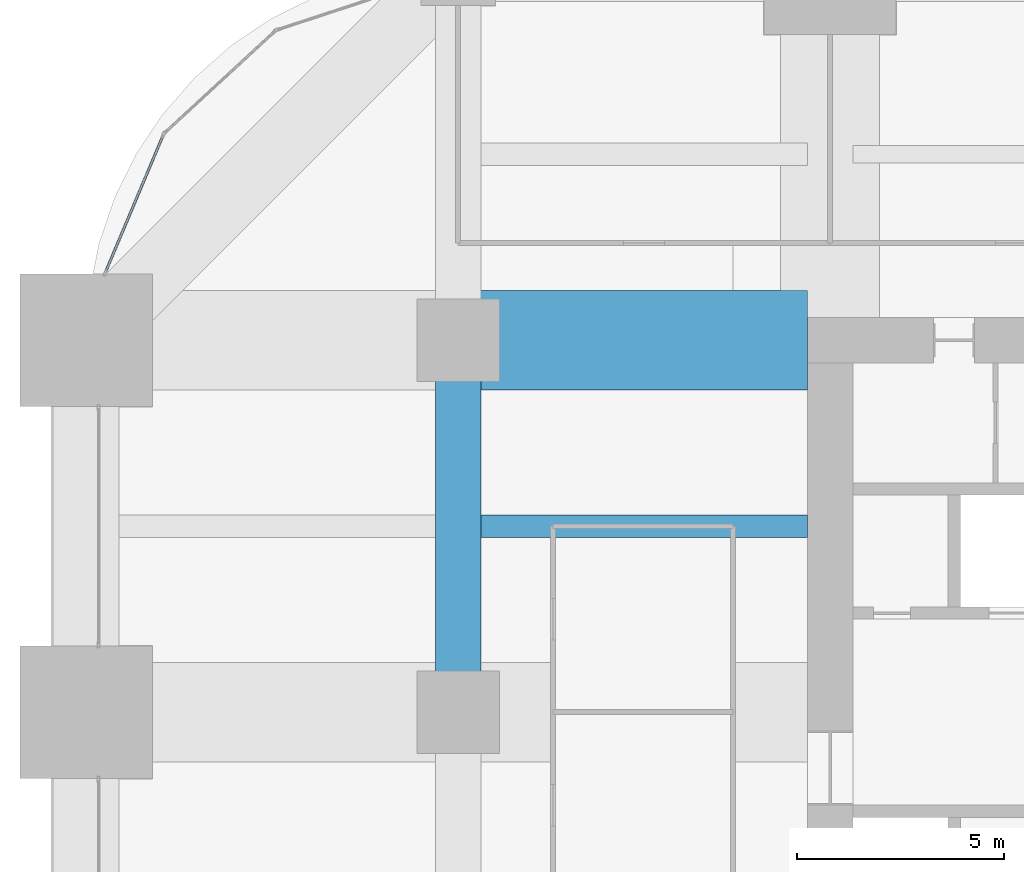
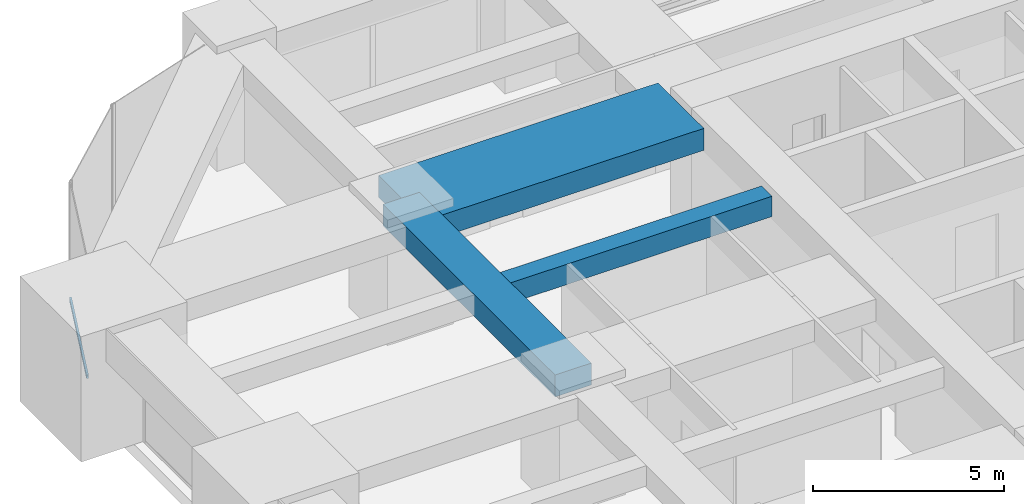
# One storey, part 21 of 35: 3 beams, 1 member, 1 element without a shape of its own.
"""IFC4 building model written with IfcOpenShell, lengths in metres."""

from ifc_helpers import new_model, si_unit, direction, frame, origin, origin_2d, place, context, subcontext, project, spatial, rectangle, hollow_rectangle, extrude, material, material_profile, profile_set, type_object, element, aggregate, save


model = new_model("IFC4")

# Units and contexts
model_context = context("Model", 3, precision=1e-05, world=origin(), true_north=direction((0.0, 1.0)))
body_context = subcontext(model_context, "Body", "Model", "MODEL_VIEW")
ifc_project = project(units=[si_unit("LENGTHUNIT", "METRE"), si_unit("AREAUNIT", "SQUARE_METRE"), si_unit("VOLUMEUNIT", "CUBIC_METRE"), si_unit("PLANEANGLEUNIT", "RADIAN"), si_unit("MASSUNIT", "GRAM", prefix="KILO")], contexts=[model_context])

# Site, building, storey
site_placement = place(None, origin())
site = spatial("IfcSite", under=ifc_project, at=site_placement, CompositionType="ELEMENT")
building_placement = place(site_placement, origin())
building = spatial("IfcBuilding", under=site, at=building_placement, Name="Zorevar Civic Tower", CompositionType="ELEMENT")
storey_placement = place(building_placement, frame((0.0, 0.0, 162.199951171875)))
storey = spatial("IfcBuildingStorey", under=building, at=storey_placement, Name="L39", CompositionType="ELEMENT", Elevation=162.199951171875)

# Beams
ifc_material_1 = material(Name="Concrete C50/60", Category="concrete")
ifc_material_profile_1 = material_profile(ifc_material_1, rectangle(XDim=1.10009765625, YDim=0.699951171875, at=origin_2d()), Name="RC 1100x700")
ifc_profile_set_1 = profile_set([ifc_material_profile_1], Name="Concrete C50/60")
beam_type_1 = type_object("IfcBeamType", Name="Beam RC 1100x700", PredefinedType="BEAM", material=ifc_profile_set_1)
beam_1_placement = place(storey_placement, frame((9.0, 27.0, 3.400146484375), z_axis=(0.0, 1.0, 0.0), x_axis=(-1.0, 0.0, 0.0)))
element("IfcBeam", 1, at=beam_1_placement, inside=storey, type_object=beam_type_1, Name="Girder L40", PredefinedType="BEAM", context=body_context, shape_type="SweptSolid", body=[
    extrude(rectangle(XDim=1.10009765625, YDim=0.699951171875, at=origin_2d()), origin(), (0.0, 0.0, 1.0), 9.0),
])
ifc_material_2 = material(Name="Concrete C50/60", Category="concrete")
ifc_material_profile_2 = material_profile(ifc_material_2, rectangle(XDim=2.39990234375, YDim=0.699951171875, at=origin_2d()), Name="RC 2400x700")
ifc_profile_set_2 = profile_set([ifc_material_profile_2], Name="Concrete C50/60")
beam_type_2 = type_object("IfcBeamType", Name="Beam RC 2400x700", PredefinedType="BEAM", material=ifc_profile_set_2)
beam_2_placement = place(storey_placement, frame((9.0, 36.0, 3.400146484375), z_axis=(1.0, 0.0, 0.0), x_axis=(0.0, 1.0, 0.0)))
element("IfcBeam", 2, at=beam_2_placement, inside=storey, type_object=beam_type_2, Name="Girder L40", PredefinedType="BEAM", context=body_context, shape_type="SweptSolid", body=[
    extrude(rectangle(XDim=2.39990234375, YDim=0.699951171875, at=origin_2d()), origin(), (0.0, 0.0, 1.0), 8.449951171875),
])
ifc_material_3 = material(Name="Concrete C50/60", Category="concrete")
ifc_material_profile_3 = material_profile(ifc_material_3, rectangle(XDim=0.550048828125, YDim=0.64990234375, at=origin_2d()), Name="RC 550x650")
ifc_profile_set_3 = profile_set([ifc_material_profile_3], Name="Concrete C50/60")
beam_type_3 = type_object("IfcBeamType", Name="Beam RC 550x650", PredefinedType="BEAM", material=ifc_profile_set_3)
beam_3_placement = place(storey_placement, frame((9.550048828125, 31.5, 3.425048828125), z_axis=(1.0, 0.0, 0.0), x_axis=(0.0, 1.0, 0.0)))
element("IfcBeam", 3, at=beam_3_placement, inside=storey, type_object=beam_type_3, Name="Secondary beam L40", PredefinedType="BEAM", context=body_context, shape_type="SweptSolid", body=[
    extrude(rectangle(XDim=0.550048828125, YDim=0.64990234375, at=origin_2d()), origin(), (0.0, 0.0, 1.0), 7.89990234375),
])

# Curtain wall, member
ifc_material_4 = material(Name="Dark grey solar-control glass in black aluminium frame", Category="aluminium")
curtain_wall_type = type_object("IfcCurtainWallType", Name="Curtain wall CW4 high zone", PredefinedType="NOTDEFINED", material=ifc_material_4)
curtain_wall_placement = place(storey_placement, origin())
curtain_wall = element("IfcCurtainWall", 4, at=curtain_wall_placement, inside=storey, type_object=curtain_wall_type, Name="CW4 L39", PredefinedType="NOTDEFINED")
ifc_material_5 = material(Name="Aluminium, black anodised", Category="aluminium")
ifc_material_profile_4 = material_profile(ifc_material_5, hollow_rectangle(XDim=0.06005859375, YDim=0.1201171875, WallThickness=0.0029296875, at=origin_2d()), Name="AL 120x60x3")
ifc_profile_set_4 = profile_set([ifc_material_profile_4], Name="Aluminium, black anodised")
member_type = type_object("IfcMemberType", Name="CW4 transom AL 120x60x3", PredefinedType="USERDEFINED", material=ifc_profile_set_4)
member_placement = place(storey_placement, frame((1.857666015625, 40.945556640625, 0.030029296875), z_axis=(-0.388200676534, -0.921574866594, 0.0), x_axis=(0.921574866594, -0.388200676534, 0.0)))
member = element("IfcMember", 5, at=member_placement, type_object=member_type, Name="CW4 sill transom", ObjectType="TRANSOM", PredefinedType="USERDEFINED", context=body_context, shape_type="SweptSolid", body=[
    extrude(hollow_rectangle(XDim=0.06005859375, YDim=0.1201171875, WallThickness=0.0029296875, at=origin_2d()), origin(), (0.0, 0.0, 1.0), 3.5703125),
])
aggregate(curtain_wall, [member])

save(model, "model.ifc")
